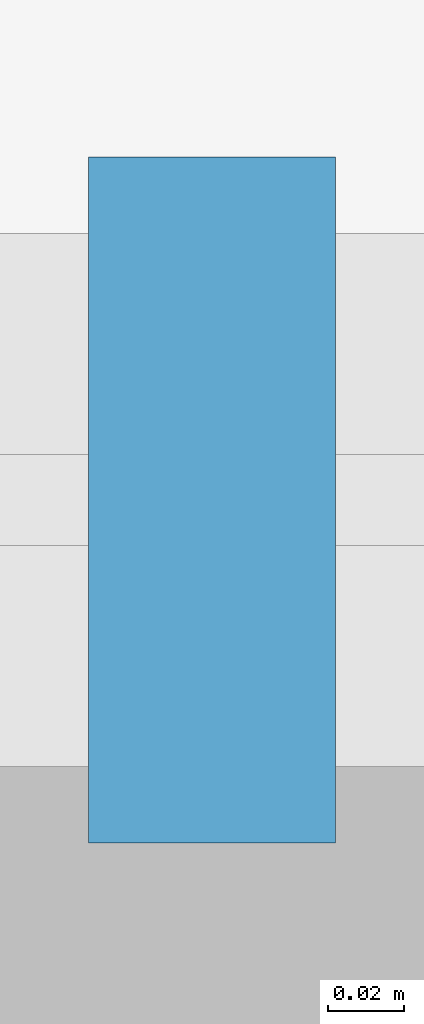
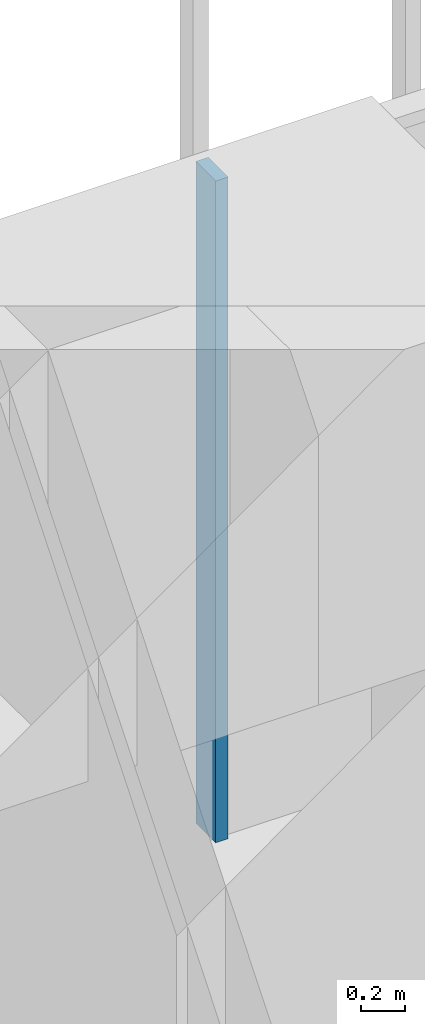
# One storey, part 227 of 256: 1 member, 1 element without a shape of its own.
"""IFC4 building model written with IfcOpenShell, lengths in metres."""

import ifcopenshell
import ifcopenshell.guid

model = None  # the IFC model being written
_history = None  # IfcOwnerHistory: only IFC2X3 demands one
_inside = {}  # id of a spatial element -> (the spatial element, [elements in it])
_under = {}  # id of a project, library or spatial element -> (it, [spatial elements below it])
_declared = {}  # id of a project -> (the project, [libraries it declares])
_typed = {}  # id of a type object -> (the type object, [elements of that type])
_made_of = {}  # id of a material, layer set ... -> (it, [elements and type objects made of it])


def new_model(schema):
    """Start an empty IFC model of exactly this schema.

    Asked for "IFC4X3", IfcOpenShell would pick the latest addendum, in which some entities
    have other attributes; the version numbers below select the first issue.
    IFC2X3 requires an IfcOwnerHistory on every rooted entity: one is made here for all.
    """
    global model, _history
    if schema == "IFC4X3":
        model = ifcopenshell.file(schema_version=(4, 3, 0, 0))
    else:
        model = ifcopenshell.file(schema=schema)
    _inside.clear()
    _under.clear()
    _declared.clear()
    _typed.clear()
    _made_of.clear()
    _history = None
    if model.schema == "IFC2X3":
        org = make("IfcOrganization", Name="unknown")
        user = make(
            "IfcPersonAndOrganization",
            ThePerson=make("IfcPerson", FamilyName="unknown"),
            TheOrganization=org,
        )
        app = make(
            "IfcApplication",
            ApplicationDeveloper=org,
            Version="unknown",
            ApplicationFullName="unknown",
            ApplicationIdentifier="unknown",
        )
        _history = make(
            "IfcOwnerHistory",
            OwningUser=user,
            OwningApplication=app,
            ChangeAction="ADDED",
            CreationDate=0,
        )
    return model


def make(cls, **values):
    """One entity of the class cls with the attributes given. An attribute that is None is left unset."""
    return model.create_entity(
        cls, **{name: value for name, value in values.items() if value is not None}
    )


def rooted(cls, **values):
    """An entity with a GlobalId (a new one), such as an element, a storey or a relation."""
    return make(cls, GlobalId=ifcopenshell.guid.new(), OwnerHistory=_history, **values)


def si_unit(unit_type, name, prefix=None):
    """IfcSIUnit, for example si_unit("LENGTHUNIT", "METRE", prefix="MILLI")."""
    return make("IfcSIUnit", UnitType=unit_type, Prefix=prefix, Name=name)


def assignment(units):
    """IfcUnitAssignment: the units of a project."""
    return None if units is None else make("IfcUnitAssignment", Units=units)


def point(xyz):
    """IfcCartesianPoint."""
    return None if xyz is None else make("IfcCartesianPoint", Coordinates=xyz)


def direction(xyz):
    """IfcDirection."""
    return None if xyz is None else make("IfcDirection", DirectionRatios=xyz)


def frame(location, z_axis=None, x_axis=None):
    """IfcAxis2Placement3D, a coordinate frame: its origin and axes. An axis left out is left unset."""
    return make(
        "IfcAxis2Placement3D",
        Location=point(location),
        Axis=direction(z_axis),
        RefDirection=direction(x_axis),
    )


def frame_2d(location, x_axis=None):
    """IfcAxis2Placement2D, a coordinate frame in the plane: its origin and x axis."""
    return make(
        "IfcAxis2Placement2D", Location=point(location), RefDirection=direction(x_axis)
    )


def origin():
    """The frame at (0, 0, 0) with its axes left unset."""
    return frame((0.0, 0.0, 0.0))


def origin_2d():
    """The frame at (0, 0) in the plane with its x axis left unset."""
    return frame_2d((0.0, 0.0))


def place(relative_to, where):
    """IfcLocalPlacement: puts the frame where relative to a parent placement (None: the world)."""
    return make(
        "IfcLocalPlacement", PlacementRelTo=relative_to, RelativePlacement=where
    )


def context(
    kind, dimensions, precision=None, world=None, true_north=None, identifier=None
):
    """IfcGeometricRepresentationContext, for example the 3D "Model" context."""
    return make(
        "IfcGeometricRepresentationContext",
        ContextIdentifier=identifier,
        ContextType=kind,
        CoordinateSpaceDimension=dimensions,
        Precision=precision,
        WorldCoordinateSystem=world,
        TrueNorth=true_north,
    )


def subcontext(parent, identifier, kind, view, scale=None):
    """IfcGeometricRepresentationSubContext, for example "Body" below "Model"."""
    return make(
        "IfcGeometricRepresentationSubContext",
        ContextIdentifier=identifier,
        ContextType=kind,
        ParentContext=parent,
        TargetScale=scale,
        TargetView=view,
    )


def project(units=None, contexts=None):
    """IfcProject with its units and contexts."""
    return rooted(
        "IfcProject",
        Name="project",
        RepresentationContexts=contexts,
        UnitsInContext=assignment(units),
    )


def spatial(cls, under=None, at=None, **own):
    """A site, building, storey or space (cls), placed at a placement, below another one or the project."""
    s = rooted(cls, ObjectPlacement=at, **own)
    if under is not None:
        _under.setdefault(under.id(), (under, []))[1].append(s)
    return s


def profile(cls, at=None, kind="AREA", **sizes):
    """A parametric profile (cls). Its sizes go by their IFC names, for example OverallWidth=200.0."""
    return make(cls, ProfileType=kind, Position=at, **sizes)


def rectangle(**sizes):
    """IfcRectangleProfileDef."""
    return profile("IfcRectangleProfileDef", **sizes)


def extrude(swept, where, along, depth):
    """IfcExtrudedAreaSolid: the profile swept, set in the frame where, extruded along a direction by depth."""
    return make(
        "IfcExtrudedAreaSolid",
        SweptArea=swept,
        Position=where,
        ExtrudedDirection=direction(along),
        Depth=depth,
    )


def shape(context_of_items, identifier, shape_type, items):
    """IfcShapeRepresentation: the items that make up one representation, for example the "Body"."""
    return make(
        "IfcShapeRepresentation",
        ContextOfItems=context_of_items,
        RepresentationIdentifier=identifier,
        RepresentationType=shape_type,
        Items=items,
    )


def material(Name=None, Category=None):
    """IfcMaterial."""
    return make("IfcMaterial", Name=Name, Category=Category)


def material_profile(
    of_material, cross_section, Name=None, Category=None, Priority=None
):
    """IfcMaterialProfile: a cross section and its material."""
    return make(
        "IfcMaterialProfile",
        Name=Name,
        Material=of_material,
        Profile=cross_section,
        Priority=Priority,
        Category=Category,
    )


def profile_set(profiles, Name=None, composite=None):
    """IfcMaterialProfileSet."""
    return make(
        "IfcMaterialProfileSet",
        Name=Name,
        MaterialProfiles=profiles,
        CompositeProfile=composite,
    )


def made_of(thing, what):
    """Note that an element or type object is made of a material, layer set ...; save() writes the relation."""
    if what is not None:
        _made_of.setdefault(what.id(), (what, []))[1].append(thing)
    return thing


def type_object(cls, material=None, **own):
    """A type object (cls), such as IfcWallType, which elements share."""
    return made_of(rooted(cls, **own), material)


def element(
    cls,
    number,
    at=None,
    inside=None,
    cuts=None,
    type_object=None,
    material=None,
    context=None,
    identifier="Body",
    shape_type=None,
    held_by="IfcProductDefinitionShape",
    body=None,
    shapes=None,
    **own,
):
    """One element of the class cls, such as IfcWall. Its Tag is "e" and its number.

    at: its placement. inside: the storey or other place that contains it. cuts: it is an
    opening in that element (IfcRelVoidsElement). A single representation is given by context,
    identifier, shape_type and body (its items); several are given by shapes. held_by: the class
    of the entity that holds the representations. save() writes the other relations.
    """
    e = rooted(cls, Tag="e%d" % number, ObjectPlacement=at, **own)
    if body is not None:
        shapes = [shape(context, identifier, shape_type, body)]
    if shapes is not None:
        e.Representation = make(held_by, Representations=shapes)
    if inside is not None:
        _inside.setdefault(inside.id(), (inside, []))[1].append(e)
    if cuts is not None:
        rooted(
            "IfcRelVoidsElement", RelatingBuildingElement=cuts, RelatedOpeningElement=e
        )
    if type_object is not None:
        _typed.setdefault(type_object.id(), (type_object, []))[1].append(e)
    return made_of(e, material)


def aggregate(whole, parts):
    """IfcRelAggregates: a whole, such as a stair, and the parts it consists of."""
    return rooted("IfcRelAggregates", RelatingObject=whole, RelatedObjects=parts)


def save(model, path):
    """Write the relations noted so far, then the file.

    IfcRelAggregates (storeys below a building ...), IfcRelContainedInSpatialStructure (elements
    in a storey), IfcRelDefinesByType, IfcRelAssociatesMaterial and IfcRelDeclares: one each for
    every whole, place, type object, material and project.
    """
    for whole, parts in _under.values():
        aggregate(whole, parts)
    for where, things in _inside.values():
        rooted(
            "IfcRelContainedInSpatialStructure",
            RelatedElements=things,
            RelatingStructure=where,
        )
    for kind, things in _typed.values():
        rooted("IfcRelDefinesByType", RelatedObjects=things, RelatingType=kind)
    for what, things in _made_of.values():
        rooted("IfcRelAssociatesMaterial", RelatedObjects=things, RelatingMaterial=what)
    for by, libraries in _declared.values():
        rooted("IfcRelDeclares", RelatingContext=by, RelatedDefinitions=libraries)
    model.write(path)


model = new_model("IFC4")

# Units and contexts
model_context = context("Model", 3, precision=1e-05, world=origin(), true_north=direction((0.0, 1.0)))
body_context = subcontext(model_context, "Body", "Model", "MODEL_VIEW")
ifc_project = project(units=[si_unit("LENGTHUNIT", "METRE"), si_unit("AREAUNIT", "SQUARE_METRE"), si_unit("VOLUMEUNIT", "CUBIC_METRE"), si_unit("PLANEANGLEUNIT", "RADIAN"), si_unit("MASSUNIT", "GRAM", prefix="KILO")], contexts=[model_context])

# Site, building, storey
site_placement = place(None, origin())
site = spatial("IfcSite", under=ifc_project, at=site_placement, CompositionType="ELEMENT")
building_placement = place(site_placement, origin())
building = spatial("IfcBuilding", under=site, at=building_placement, Name="Sandreach Pilgrim Tower", CompositionType="ELEMENT")
storey_placement = place(building_placement, frame((0.0, 0.0, 23.0)))
storey = spatial("IfcBuildingStorey", under=building, at=storey_placement, Name="L04", CompositionType="ELEMENT", Elevation=23.0)

# Curtain wall, member
ifc_material_1 = material(Name="Aluminium framed curtain wall", Category="aluminium")
curtain_wall_type = type_object("IfcCurtainWallType", Name="Hostel tower curtain wall", PredefinedType="NOTDEFINED", material=ifc_material_1)
curtain_wall_placement = place(storey_placement, origin())
curtain_wall = element("IfcCurtainWall", 1, at=curtain_wall_placement, inside=storey, type_object=curtain_wall_type, Name="CW-1 L04 N", PredefinedType="NOTDEFINED")
ifc_material_2 = material(Name="Aluminium extrusion", Category="aluminium")
ifc_material_profile = material_profile(ifc_material_2, rectangle(XDim=0.06494140625, YDim=0.179931640625, at=origin_2d()), Name="CW-1M 65X180")
ifc_profile_set = profile_set([ifc_material_profile], Name="Aluminium extrusion")
member_type = type_object("IfcMemberType", Name="CW-1 mullion", PredefinedType="MULLION", material=ifc_profile_set)
member_placement = place(storey_placement, frame((10.928955078125, 23.94873046875, 0.0), z_axis=(0.0, 0.0, 1.0), x_axis=(1.0, 0.0, 0.0)))
member = element("IfcMember", 2, at=member_placement, type_object=member_type, Name="CW-1 mullion 8", PredefinedType="MULLION", context=body_context, shape_type="SweptSolid", body=[
    extrude(rectangle(XDim=0.06494140625, YDim=0.179931640625, at=origin_2d()), origin(), (0.0, 0.0, 1.0), 3.639892578125),
])
aggregate(curtain_wall, [member])

save(model, "model.ifc")
